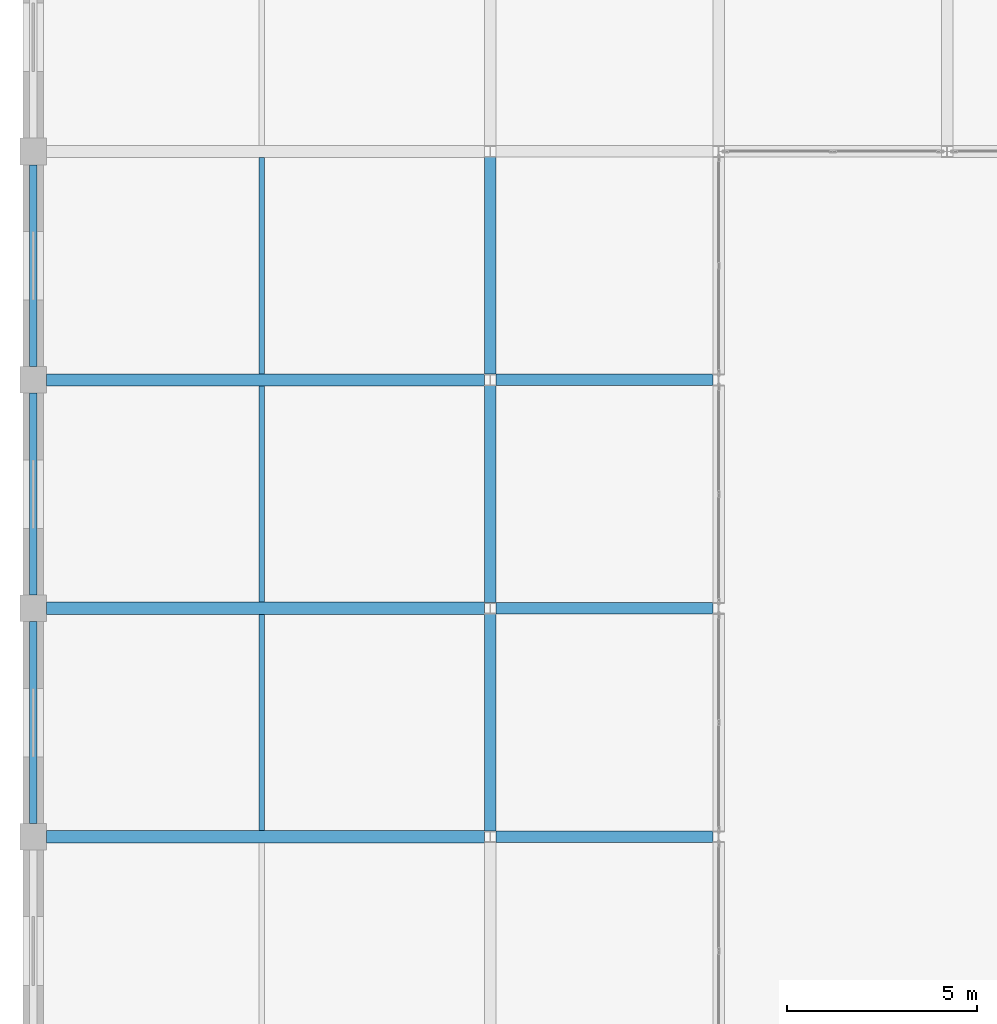
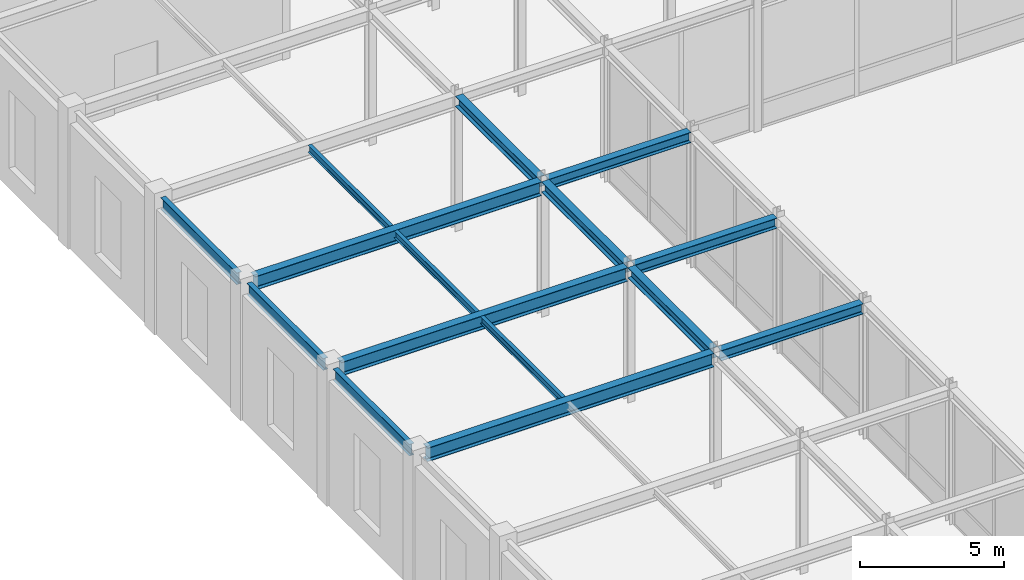
# One storey, part 43 of 108: 15 beams.
"""IFC4 building model written with IfcOpenShell, lengths in metres."""

from ifc_helpers import new_model, si_unit, direction, frame, origin, origin_2d, place, context, subcontext, project, spatial, i_section, extrude, material, material_profile, profile_set, type_object, element, save


model = new_model("IFC4")

# Units and contexts
model_context = context("Model", 3, precision=1e-05, world=origin(), true_north=direction((0.0, 1.0)))
body_context = subcontext(model_context, "Body", "Model", "MODEL_VIEW")
ifc_project = project(units=[si_unit("LENGTHUNIT", "METRE"), si_unit("AREAUNIT", "SQUARE_METRE"), si_unit("VOLUMEUNIT", "CUBIC_METRE"), si_unit("PLANEANGLEUNIT", "RADIAN"), si_unit("MASSUNIT", "GRAM", prefix="KILO")], contexts=[model_context])

# Site, building, storey
site_placement = place(None, origin())
site = spatial("IfcSite", under=ifc_project, at=site_placement, CompositionType="ELEMENT")
building_placement = place(site_placement, origin())
building = spatial("IfcBuilding", under=site, at=building_placement, Name="Zlatovratsky Civic Hall", CompositionType="ELEMENT")
storey_placement = place(building_placement, frame((0.0, 0.0, 6.0)))
storey = spatial("IfcBuildingStorey", under=building, at=storey_placement, Name="L02", CompositionType="ELEMENT", Elevation=6.0)

# Beams
ifc_material = material(Name="Steel S355", Category="steel")
ifc_material_profile_1 = material_profile(ifc_material, i_section(OverallWidth=0.320068359375, OverallDepth=0.58203125, WebThickness=0.011962890625, FlangeThickness=0.01708984375, FilletRadius=0.02392578125, at=origin_2d()), Name="60Sh1")
ifc_profile_set_1 = profile_set([ifc_material_profile_1], Name="Steel S355")
beam_type_1 = type_object("IfcBeamType", Name="Beam_PodiumGirder_60Sh1", PredefinedType="BEAM", material=ifc_profile_set_1)
for number, where, z_axis, x_axis, name in (
    (1, (0.35009765625, 48.0, 5.468994140625), (1.0, 0.0, 0.0), (0.0, 1.0, 0.0), "BM-1833"),
    (2, (0.35009765625, 54.0, 5.468994140625), (1.0, 0.0, 0.0), (0.0, 1.0, 0.0), "BM-1849"),
    (3, (0.35009765625, 60.0, 5.468994140625), (1.0, 0.0, 0.0), (0.0, 1.0, 0.0), "BM-1859"),
):
    element("IfcBeam", number, at=place(storey_placement, frame(where, z_axis=z_axis, x_axis=x_axis)), inside=storey, type_object=beam_type_1, Name=name, PredefinedType="BEAM", context=body_context, shape_type="SweptSolid", body=[
        extrude(i_section(OverallWidth=0.320068359375, OverallDepth=0.58203125, WebThickness=0.011962890625, FlangeThickness=0.01708984375, FilletRadius=0.02392578125, at=origin_2d()), origin(), (0.0, 0.0, 1.0), 11.5),
    ])
ifc_material_profile_2 = material_profile(ifc_material, i_section(OverallWidth=0.198974609375, OverallDepth=0.491943359375, WebThickness=0.0087890625, FlangeThickness=0.011962890625, FilletRadius=0.01611328125, at=origin_2d()), Name="50B1")
ifc_profile_set_2 = profile_set([ifc_material_profile_2], Name="Steel S355")
beam_type_2 = type_object("IfcBeamType", Name="Beam_Spandrel_50B1", PredefinedType="SPANDREL", material=ifc_profile_set_2)
for number, where, z_axis, x_axis, name in (
    (4, (0.0, 48.35009765625, 5.513916015625), (0.0, 1.0, 0.0), (-1.0, 0.0, 0.0), "BM-2063"),
    (5, (0.0, 54.35009765625, 5.513916015625), (0.0, 1.0, 0.0), (-1.0, 0.0, 0.0), "BM-2064"),
    (6, (0.0, 60.35009765625, 5.513916015625), (0.0, 1.0, 0.0), (-1.0, 0.0, 0.0), "BM-2065"),
):
    element("IfcBeam", number, at=place(storey_placement, frame(where, z_axis=z_axis, x_axis=x_axis)), inside=storey, type_object=beam_type_2, Name=name, PredefinedType="SPANDREL", context=body_context, shape_type="SweptSolid", body=[
        extrude(i_section(OverallWidth=0.198974609375, OverallDepth=0.491943359375, WebThickness=0.0087890625, FlangeThickness=0.011962890625, FilletRadius=0.01611328125, at=origin_2d()), origin(), (0.0, 0.0, 1.0), 5.2998046875),
    ])
ifc_material_profile_3 = material_profile(ifc_material, i_section(OverallWidth=0.300048828125, OverallDepth=0.43994140625, WebThickness=0.010986328125, FlangeThickness=0.01806640625, FilletRadius=0.02197265625, at=origin_2d()), Name="45Sh1")
ifc_profile_set_3 = profile_set([ifc_material_profile_3], Name="Steel S355")
beam_type_3 = type_object("IfcBeamType", Name="Beam_TowerLow_45Sh1", PredefinedType="BEAM", material=ifc_profile_set_3)
for number, where, z_axis, x_axis, name in (
    (7, (12.14990234375, 48.0, 5.5400390625), (1.0, 0.0, 0.0), (0.0, 1.0, 0.0), "BM-1834"),
    (8, (12.14990234375, 54.0, 5.5400390625), (1.0, 0.0, 0.0), (0.0, 1.0, 0.0), "BM-1850"),
    (9, (12.14990234375, 60.0, 5.5400390625), (1.0, 0.0, 0.0), (0.0, 1.0, 0.0), "BM-1860"),
    (10, (12.0, 48.14990234375, 5.5400390625), (0.0, 1.0, 0.0), (-1.0, 0.0, 0.0), "BM-2080"),
    (11, (12.0, 54.14990234375, 5.5400390625), (0.0, 1.0, 0.0), (-1.0, 0.0, 0.0), "BM-2081"),
    (12, (12.0, 60.14990234375, 5.5400390625), (0.0, 1.0, 0.0), (-1.0, 0.0, 0.0), "BM-2082"),
):
    element("IfcBeam", number, at=place(storey_placement, frame(where, z_axis=z_axis, x_axis=x_axis)), inside=storey, type_object=beam_type_3, Name=name, PredefinedType="BEAM", context=body_context, shape_type="SweptSolid", body=[
        extrude(i_section(OverallWidth=0.300048828125, OverallDepth=0.43994140625, WebThickness=0.010986328125, FlangeThickness=0.01806640625, FilletRadius=0.02197265625, at=origin_2d()), origin(), (0.0, 0.0, 1.0), 5.7001953125),
    ])
ifc_material_profile_4 = material_profile(ifc_material, i_section(OverallWidth=0.14990234375, OverallDepth=0.300048828125, WebThickness=0.006591796875, FlangeThickness=0.009033203125, FilletRadius=0.012939453125, at=origin_2d()), Name="30B2")
ifc_profile_set_4 = profile_set([ifc_material_profile_4], Name="Steel S355")
beam_type_4 = type_object("IfcBeamType", Name="Joist_Podium_30B2", PredefinedType="JOIST", material=ifc_profile_set_4)
for number, where, z_axis, x_axis, name in (
    (13, (6.0, 48.159912109375, 5.610107421875), (0.0, 1.0, 0.0), (-1.0, 0.0, 0.0), "BM-2413"),
    (14, (6.0, 54.159912109375, 5.610107421875), (0.0, 1.0, 0.0), (-1.0, 0.0, 0.0), "BM-2415"),
    (15, (6.0, 60.159912109375, 5.610107421875), (0.0, 1.0, 0.0), (-1.0, 0.0, 0.0), "BM-2417"),
):
    element("IfcBeam", number, at=place(storey_placement, frame(where, z_axis=z_axis, x_axis=x_axis)), inside=storey, type_object=beam_type_4, Name=name, PredefinedType="JOIST", context=body_context, shape_type="SweptSolid", body=[
        extrude(i_section(OverallWidth=0.14990234375, OverallDepth=0.300048828125, WebThickness=0.006591796875, FlangeThickness=0.009033203125, FilletRadius=0.012939453125, at=origin_2d()), origin(), (0.0, 0.0, 1.0), 5.68017578125),
    ])

save(model, "model.ifc")
